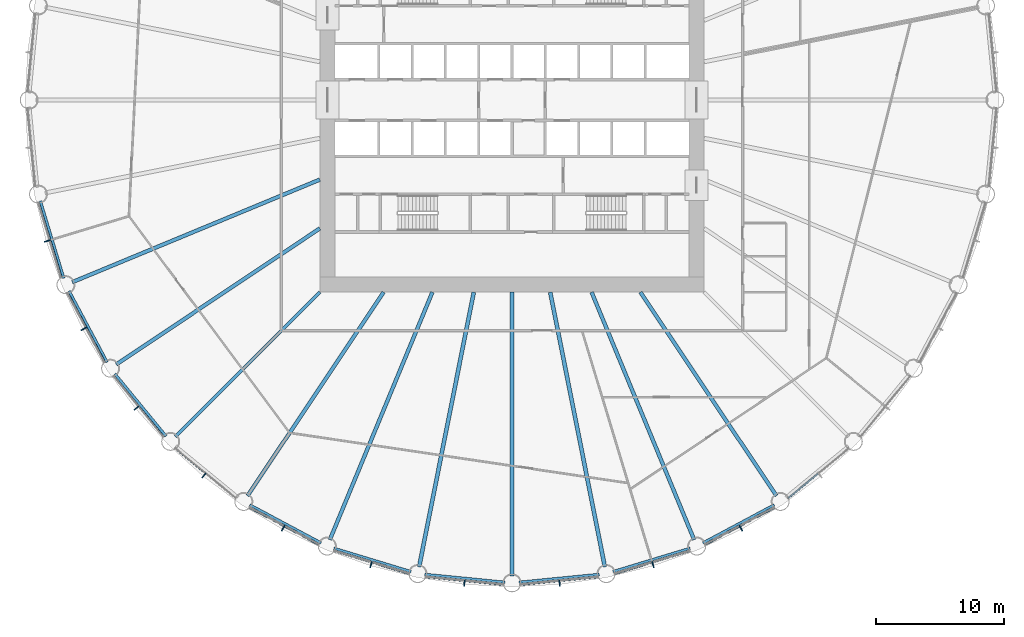
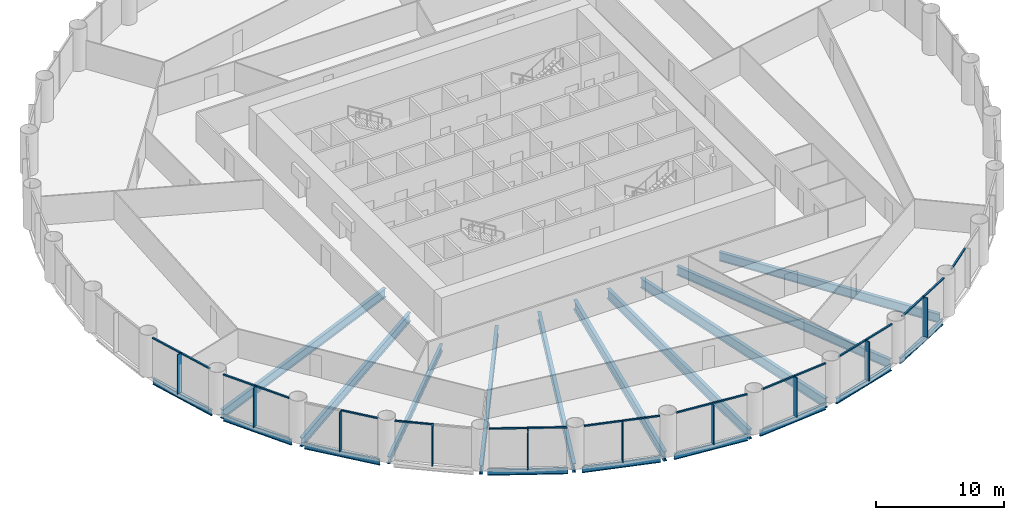
# One storey, part 2 of 15: 29 members, 19 beams, 11 elements without a shape of their own.
"""IFC4 building model written with IfcOpenShell, lengths in metres."""

from ifc_helpers import new_model, si_unit, direction, frame, origin, origin_2d, place, context, subcontext, project, spatial, rectangle, i_section, extrude, material, material_profile, profile_set, type_object, element, aggregate, save


model = new_model("IFC4")

# Units and contexts
model_context = context("Model", 3, precision=1e-05, world=origin(), true_north=direction((0.0, 1.0)))
body_context = subcontext(model_context, "Body", "Model", "MODEL_VIEW")
ifc_project = project(units=[si_unit("LENGTHUNIT", "METRE"), si_unit("AREAUNIT", "SQUARE_METRE"), si_unit("VOLUMEUNIT", "CUBIC_METRE"), si_unit("PLANEANGLEUNIT", "RADIAN"), si_unit("MASSUNIT", "GRAM", prefix="KILO")], contexts=[model_context])

# Site, building, storey
site_placement = place(None, origin())
site = spatial("IfcSite", under=ifc_project, at=site_placement, CompositionType="ELEMENT")
building_placement = place(site_placement, origin())
building = spatial("IfcBuilding", under=site, at=building_placement, Name="Corvane Civic Tower", CompositionType="ELEMENT")
storey_placement = place(building_placement, frame((0.0, 0.0, 73.0)))
storey = spatial("IfcBuildingStorey", under=building, at=storey_placement, Name="L16", CompositionType="ELEMENT", Elevation=73.0)

# Beams
ifc_material_1 = material(Name="Steel ASTM A992 Gr 50", Category="steel")
ifc_material_profile_1 = material_profile(ifc_material_1, i_section(OverallWidth=0.209228515625, OverallDepth=0.533447265625, WebThickness=0.01025390625, FlangeThickness=0.015625, at=origin_2d()), Name="W21X62")
ifc_profile_set_1 = profile_set([ifc_material_profile_1], Name="Steel ASTM A992 Gr 50")
beam_type_1 = type_object("IfcBeamType", Name="EDGE BEAM W21X62", PredefinedType="BEAM", material=ifc_profile_set_1)
for number, where, z_axis, x_axis, name in (
    (1, (20.4599609375, -31.605712890625, -0.566650390625), (-0.881916367906, -0.471405897311, 0.0), (0.471405897311, -0.881916367906, 0.0), "BM-L16-E14"),
    (2, (13.90087890625, -34.989990234375, -0.566650390625), (-0.956943740748, -0.290273452184, 0.0), (0.290273452184, -0.956943740748, 0.0), "BM-L16-E15"),
):
    element("IfcBeam", number, at=place(storey_placement, frame(where, z_axis=z_axis, x_axis=x_axis)), inside=storey, type_object=beam_type_1, Name=name, PredefinedType="BEAM", context=body_context, shape_type="SweptSolid", body=[
        extrude(i_section(OverallWidth=0.209228515625, OverallDepth=0.533447265625, WebThickness=0.01025390625, FlangeThickness=0.015625, at=origin_2d()), origin(), (0.0, 0.0, 1.0), 6.290283203125),
    ])
for number, where, z_axis, x_axis, name in (
    (3, (6.8076171875, -37.029541015625, -0.566650390625), (-0.995186682089, -0.097997284622, 0.0), (0.097997284622, -0.995186682089, 0.0), "BM-L16-E16"),
    (4, (-0.54736328125, -37.64599609375, -0.566650390625), (-0.995186682089, 0.097997284622, 0.0), (-0.097997284622, -0.995186682089, 0.0), "BM-L16-E17"),
):
    element("IfcBeam", number, at=place(storey_placement, frame(where, z_axis=z_axis, x_axis=x_axis)), inside=storey, type_object=beam_type_1, Name=name, PredefinedType="BEAM", context=body_context, shape_type="SweptSolid", body=[
        extrude(i_section(OverallWidth=0.209228515625, OverallDepth=0.533447265625, WebThickness=0.01025390625, FlangeThickness=0.015625, at=origin_2d()), origin(), (0.0, 0.0, 1.0), 6.29052734375),
    ])
for number, where, z_axis, x_axis, name in (
    (5, (-7.88134765625, -36.81591796875, -0.566650390625), (-0.956943740748, 0.290273452184, 0.0), (-0.290273452184, -0.956943740748, 0.0), "BM-L16-E18"),
    (6, (-14.912353515625, -34.571044921875, -0.566650390625), (-0.881916367906, 0.471405897311, 0.0), (-0.471405897311, -0.881916367906, 0.0), "BM-L16-E19"),
):
    element("IfcBeam", number, at=place(storey_placement, frame(where, z_axis=z_axis, x_axis=x_axis)), inside=storey, type_object=beam_type_1, Name=name, PredefinedType="BEAM", context=body_context, shape_type="SweptSolid", body=[
        extrude(i_section(OverallWidth=0.209228515625, OverallDepth=0.533447265625, WebThickness=0.01025390625, FlangeThickness=0.015625, at=origin_2d()), origin(), (0.0, 0.0, 1.0), 6.290283203125),
    ])
beam_1_placement = place(storey_placement, frame((-27.0068359375, -26.23291015625, -0.566650390625), z_axis=(-0.634386787141, 0.773015785286, 0.0), x_axis=(-0.773015785286, -0.634386787141, 0.0)))
element("IfcBeam", 7, at=beam_1_placement, inside=storey, type_object=beam_type_1, Name="BM-L16-E21", PredefinedType="BEAM", context=body_context, shape_type="SweptSolid", body=[
    extrude(i_section(OverallWidth=0.209228515625, OverallDepth=0.533447265625, WebThickness=0.01025390625, FlangeThickness=0.015625, at=origin_2d()), origin(), (0.0, 0.0, 1.0), 6.290771484375),
])
for number, where, z_axis, x_axis, name in (
    (8, (-31.605712890625, -20.4599609375, -0.566650390625), (-0.471405897311, 0.881916367906, 0.0), (-0.881916367906, -0.471405897311, 0.0), "BM-L16-E22"),
    (9, (-34.989990234375, -13.90087890625, -0.566650390625), (-0.290273452184, 0.956943740748, 0.0), (-0.956943740748, -0.290273452184, 0.0), "BM-L16-E23"),
):
    element("IfcBeam", number, at=place(storey_placement, frame(where, z_axis=z_axis, x_axis=x_axis)), inside=storey, type_object=beam_type_1, Name=name, PredefinedType="BEAM", context=body_context, shape_type="SweptSolid", body=[
        extrude(i_section(OverallWidth=0.209228515625, OverallDepth=0.533447265625, WebThickness=0.01025390625, FlangeThickness=0.015625, at=origin_2d()), origin(), (0.0, 0.0, 1.0), 6.290283203125),
    ])
ifc_material_2 = material(Name="Steel ASTM A992 Gr 50", Category="steel")
ifc_material_profile_2 = material_profile(ifc_material_2, i_section(OverallWidth=0.256591796875, OverallDepth=0.693359375, WebThickness=0.014404296875, FlangeThickness=0.023681640625, at=origin_2d()), Name="W27X114")
ifc_profile_set_2 = profile_set([ifc_material_profile_2], Name="Steel ASTM A992 Gr 50")
beam_type_2 = type_object("IfcBeamType", Name="FLOOR GIRDER W27X114", PredefinedType="BEAM", material=ifc_profile_set_2)
beam_2_placement = place(storey_placement, frame((-15.0, -15.0, -0.646728515625), z_axis=(-0.707106781187, -0.707106781187, 0.0), x_axis=(0.707106781187, -0.707106781187, 0.0)))
element("IfcBeam", 10, at=beam_2_placement, inside=storey, type_object=beam_type_2, Name="BM-L16-G21", PredefinedType="BEAM", context=body_context, shape_type="SweptSolid", body=[
    extrude(i_section(OverallWidth=0.256591796875, OverallDepth=0.693359375, WebThickness=0.014404296875, FlangeThickness=0.023681640625, at=origin_2d()), origin(), (0.0, 0.0, 1.0), 15.936767578125),
])
ifc_material_3 = material(Name="Steel ASTM A992 Gr 50", Category="steel")
ifc_material_profile_3 = material_profile(ifc_material_3, i_section(OverallWidth=0.2919921875, OverallDepth=0.8583984375, WebThickness=0.01708984375, FlangeThickness=0.031005859375, at=origin_2d()), Name="W33X169")
ifc_profile_set_3 = profile_set([ifc_material_profile_3], Name="Steel ASTM A992 Gr 50")
beam_type_3 = type_object("IfcBeamType", Name="FLOOR GIRDER W33X169", PredefinedType="BEAM", material=ifc_profile_set_3)
beam_3_placement = place(storey_placement, frame((10.022705078125, -15.0, -0.729248046875), z_axis=(0.555566681385, -0.831471985418, 0.0), x_axis=(0.831471985418, 0.555566681385, 0.0)))
element("IfcBeam", 11, at=beam_3_placement, inside=storey, type_object=beam_type_3, Name="BM-L16-G14", PredefinedType="BEAM", context=body_context, shape_type="SweptSolid", body=[
    extrude(i_section(OverallWidth=0.2919921875, OverallDepth=0.8583984375, WebThickness=0.01708984375, FlangeThickness=0.031005859375, at=origin_2d()), origin(), (0.0, 0.0, 1.0), 19.109619140625),
])
for number, where, z_axis, x_axis, name in (
    (12, (6.213134765625, -15.0, -0.729248046875), (0.382692360381, -0.923875834355, 0.0), (0.923875834355, 0.382692360381, 0.0), "BM-L16-G15"),
    (13, (-6.213134765625, -15.0, -0.729248046875), (-0.382692360381, -0.923875834355, 0.0), (0.923875834355, -0.382692360381, 0.0), "BM-L16-G19"),
):
    element("IfcBeam", number, at=place(storey_placement, frame(where, z_axis=z_axis, x_axis=x_axis)), inside=storey, type_object=beam_type_3, Name=name, PredefinedType="BEAM", context=body_context, shape_type="SweptSolid", body=[
        extrude(i_section(OverallWidth=0.2919921875, OverallDepth=0.8583984375, WebThickness=0.01708984375, FlangeThickness=0.031005859375, at=origin_2d()), origin(), (0.0, 0.0, 1.0), 20.9140625),
    ])
for number, where, z_axis, x_axis, name in (
    (14, (-10.022705078125, -15.0, -0.729248046875), (-0.555566681385, -0.831471985418, 0.0), (0.831471985418, -0.555566681385, 0.0), "BM-L16-G20"),
    (15, (-15.0, -10.022705078125, -0.729248046875), (-0.831471985418, -0.555566681385, 0.0), (0.555566681385, -0.831471985418, 0.0), "BM-L16-G22"),
):
    element("IfcBeam", number, at=place(storey_placement, frame(where, z_axis=z_axis, x_axis=x_axis)), inside=storey, type_object=beam_type_3, Name=name, PredefinedType="BEAM", context=body_context, shape_type="SweptSolid", body=[
        extrude(i_section(OverallWidth=0.2919921875, OverallDepth=0.8583984375, WebThickness=0.01708984375, FlangeThickness=0.031005859375, at=origin_2d()), origin(), (0.0, 0.0, 1.0), 19.109619140625),
    ])
beam_4_placement = place(storey_placement, frame((-15.0, -6.213134765625, -0.729248046875), z_axis=(-0.923875834355, -0.382692360381, 0.0), x_axis=(0.382692360381, -0.923875834355, 0.0)))
element("IfcBeam", 16, at=beam_4_placement, inside=storey, type_object=beam_type_3, Name="BM-L16-G23", PredefinedType="BEAM", context=body_context, shape_type="SweptSolid", body=[
    extrude(i_section(OverallWidth=0.2919921875, OverallDepth=0.8583984375, WebThickness=0.01708984375, FlangeThickness=0.031005859375, at=origin_2d()), origin(), (0.0, 0.0, 1.0), 20.9140625),
])
ifc_material_4 = material(Name="Steel ASTM A992 Gr 50", Category="steel")
ifc_material_profile_4 = material_profile(ifc_material_4, i_section(OverallWidth=0.307373046875, OverallDepth=0.927001953125, WebThickness=0.01953125, FlangeThickness=0.031982421875, at=origin_2d()), Name="W36X194")
ifc_profile_set_4 = profile_set([ifc_material_profile_4], Name="Steel ASTM A992 Gr 50")
beam_type_4 = type_object("IfcBeamType", Name="FLOOR GIRDER W36X194", PredefinedType="BEAM", material=ifc_profile_set_4)
beam_5_placement = place(storey_placement, frame((2.983642578125, -15.0, -0.763671875), z_axis=(0.195089219638, -0.980785499679, 0.0), x_axis=(0.980785499679, 0.195089219638, 0.0)))
element("IfcBeam", 17, at=beam_5_placement, inside=storey, type_object=beam_type_4, Name="BM-L16-G16", PredefinedType="BEAM", context=body_context, shape_type="SweptSolid", body=[
    extrude(i_section(OverallWidth=0.307373046875, OverallDepth=0.927001953125, WebThickness=0.01953125, FlangeThickness=0.031982421875, at=origin_2d()), origin(), (0.0, 0.0, 1.0), 21.856201171875),
])
beam_6_placement = place(storey_placement, frame((0.0, -15.0, -0.763671875), z_axis=(0.0, -1.0, 0.0), x_axis=(1.0, 0.0, 0.0)))
element("IfcBeam", 18, at=beam_6_placement, inside=storey, type_object=beam_type_4, Name="BM-L16-G17", PredefinedType="BEAM", context=body_context, shape_type="SweptSolid", body=[
    extrude(i_section(OverallWidth=0.307373046875, OverallDepth=0.927001953125, WebThickness=0.01953125, FlangeThickness=0.031982421875, at=origin_2d()), origin(), (0.0, 0.0, 1.0), 22.14990234375),
])
beam_7_placement = place(storey_placement, frame((-2.983642578125, -15.0, -0.763671875), z_axis=(-0.195089219638, -0.980785499679, 0.0), x_axis=(0.980785499679, -0.195089219638, 0.0)))
element("IfcBeam", 19, at=beam_7_placement, inside=storey, type_object=beam_type_4, Name="BM-L16-G18", PredefinedType="BEAM", context=body_context, shape_type="SweptSolid", body=[
    extrude(i_section(OverallWidth=0.307373046875, OverallDepth=0.927001953125, WebThickness=0.01953125, FlangeThickness=0.031982421875, at=origin_2d()), origin(), (0.0, 0.0, 1.0), 21.856201171875),
])

# Curtain wall, member
ifc_material_5 = material(Name="Anodised aluminium bronze", Category="aluminium")
curtain_wall_type = type_object("IfcCurtainWallType", Name="TOWER CW-T1 STICK CURTAIN WALL", PredefinedType="NOTDEFINED", material=ifc_material_5)
curtain_wall_1_placement = place(storey_placement, origin())
curtain_wall_1 = element("IfcCurtainWall", 20, at=curtain_wall_1_placement, inside=storey, type_object=curtain_wall_type, Name="Curtain wall CW-T1 L16 bay 13", PredefinedType="NOTDEFINED")
ifc_material_6 = material(Name="Anodised aluminium bronze", Category="aluminium")
ifc_material_profile_5 = material_profile(ifc_material_6, rectangle(XDim=0.139892578125, YDim=0.1201171875, at=origin_2d()), Name="TOWER CW-T1 TRANSOM 140x120")
ifc_profile_set_5 = profile_set([ifc_material_profile_5], Name="Anodised aluminium bronze")
member_type_1 = type_object("IfcMemberType", Name="TOWER CW-T1 TRANSOM 140x120", PredefinedType="USERDEFINED", material=ifc_profile_set_5)
member_1_placement = place(storey_placement, frame((23.88427734375, -29.166015625, 3.68994140625), z_axis=(-0.773041738279, -0.634355161466, 0.0), x_axis=(0.634355161466, -0.773041738279, 0.0)))
member_1 = element("IfcMember", 21, at=member_1_placement, type_object=member_type_1, Name="Transom CW-T1 L16 13.2", ObjectType="TRANSOM", PredefinedType="USERDEFINED", context=body_context, shape_type="SweptSolid", body=[
    extrude(rectangle(XDim=0.139892578125, YDim=0.1201171875, at=origin_2d()), origin(), (0.0, 0.0, 1.0), 3.008544921875),
])
aggregate(curtain_wall_1, [member_1])

# Curtain wall, members
curtain_wall_2_placement = place(storey_placement, origin())
curtain_wall_2 = element("IfcCurtainWall", 22, at=curtain_wall_2_placement, inside=storey, type_object=curtain_wall_type, Name="Curtain wall CW-T1 L16 bay 14", PredefinedType="NOTDEFINED")
member_2_placement = place(storey_placement, frame((20.459228515625, -31.809326171875, 3.68994140625), z_axis=(-0.881923525532, -0.471392506424, 0.0), x_axis=(0.471392506424, -0.881923525532, 0.0)))
member_2 = element("IfcMember", 23, at=member_2_placement, type_object=member_type_1, Name="Transom CW-T1 L16 14.1", ObjectType="TRANSOM", PredefinedType="USERDEFINED", context=body_context, shape_type="SweptSolid", body=[
    extrude(rectangle(XDim=0.139892578125, YDim=0.1201171875, at=origin_2d()), origin(), (0.0, 0.0, 1.0), 3.008544921875),
])
member_3_placement = place(storey_placement, frame((17.7353515625, -33.26513671875, 3.68994140625), z_axis=(-0.881923525532, -0.471392506424, 0.0), x_axis=(0.471392506424, -0.881923525532, 0.0)))
member_3 = element("IfcMember", 24, at=member_3_placement, type_object=member_type_1, Name="Transom CW-T1 L16 14.2", ObjectType="TRANSOM", PredefinedType="USERDEFINED", context=body_context, shape_type="SweptSolid", body=[
    extrude(rectangle(XDim=0.139892578125, YDim=0.1201171875, at=origin_2d()), origin(), (0.0, 0.0, 1.0), 3.008544921875),
])

curtain_wall_3_placement = place(storey_placement, origin())
curtain_wall_3 = element("IfcCurtainWall", 25, at=curtain_wall_3_placement, inside=storey, type_object=curtain_wall_type, Name="Curtain wall CW-T1 L16 bay 15", PredefinedType="NOTDEFINED")
member_4_placement = place(storey_placement, frame((13.8603515625, -35.189453125, 3.68994140625), z_axis=(-0.956941780555, -0.290279914268, 0.0), x_axis=(0.290279914268, -0.956941780555, 0.0)))
member_4 = element("IfcMember", 26, at=member_4_placement, type_object=member_type_1, Name="Transom CW-T1 L16 15.1", ObjectType="TRANSOM", PredefinedType="USERDEFINED", context=body_context, shape_type="SweptSolid", body=[
    extrude(rectangle(XDim=0.139892578125, YDim=0.1201171875, at=origin_2d()), origin(), (0.0, 0.0, 1.0), 3.008544921875),
])
member_5_placement = place(storey_placement, frame((10.90478515625, -36.0859375, 3.68994140625), z_axis=(-0.956941780555, -0.290279914268, 0.0), x_axis=(0.290279914268, -0.956941780555, 0.0)))
member_5 = element("IfcMember", 27, at=member_5_placement, type_object=member_type_1, Name="Transom CW-T1 L16 15.2", ObjectType="TRANSOM", PredefinedType="USERDEFINED", context=body_context, shape_type="SweptSolid", body=[
    extrude(rectangle(XDim=0.139892578125, YDim=0.1201171875, at=origin_2d()), origin(), (0.0, 0.0, 1.0), 3.008544921875),
])

curtain_wall_4_placement = place(storey_placement, origin())
curtain_wall_4 = element("IfcCurtainWall", 28, at=curtain_wall_4_placement, inside=storey, type_object=curtain_wall_type, Name="Curtain wall CW-T1 L16 bay 16", PredefinedType="NOTDEFINED")
member_6_placement = place(storey_placement, frame((6.72900390625, -37.21728515625, 3.68994140625), z_axis=(-0.995191836722, -0.097944923917, 0.0), x_axis=(0.097944923917, -0.995191836722, 0.0)))
member_6 = element("IfcMember", 29, at=member_6_placement, type_object=member_type_1, Name="Transom CW-T1 L16 16.1", ObjectType="TRANSOM", PredefinedType="USERDEFINED", context=body_context, shape_type="SweptSolid", body=[
    extrude(rectangle(XDim=0.139892578125, YDim=0.1201171875, at=origin_2d()), origin(), (0.0, 0.0, 1.0), 3.008544921875),
])
member_7_placement = place(storey_placement, frame((3.6552734375, -37.52001953125, 3.68994140625), z_axis=(-0.995191836722, -0.097944923917, 0.0), x_axis=(0.097944923917, -0.995191836722, 0.0)))
member_7 = element("IfcMember", 30, at=member_7_placement, type_object=member_type_1, Name="Transom CW-T1 L16 16.2", ObjectType="TRANSOM", PredefinedType="USERDEFINED", context=body_context, shape_type="SweptSolid", body=[
    extrude(rectangle(XDim=0.139892578125, YDim=0.1201171875, at=origin_2d()), origin(), (0.0, 0.0, 1.0), 3.008544921875),
])

curtain_wall_5_placement = place(storey_placement, origin())
curtain_wall_5 = element("IfcCurtainWall", 31, at=curtain_wall_5_placement, inside=storey, type_object=curtain_wall_type, Name="Curtain wall CW-T1 L16 bay 17", PredefinedType="NOTDEFINED")
member_8_placement = place(storey_placement, frame((-0.6611328125, -37.814697265625, 3.68994140625), z_axis=(-0.995191836722, 0.097944923917, 0.0), x_axis=(-0.097944923917, -0.995191836722, 0.0)))
member_8 = element("IfcMember", 32, at=member_8_placement, type_object=member_type_1, Name="Transom CW-T1 L16 17.1", ObjectType="TRANSOM", PredefinedType="USERDEFINED", context=body_context, shape_type="SweptSolid", body=[
    extrude(rectangle(XDim=0.139892578125, YDim=0.1201171875, at=origin_2d()), origin(), (0.0, 0.0, 1.0), 3.008544921875),
])
member_9_placement = place(storey_placement, frame((-3.73486328125, -37.511962890625, 3.68994140625), z_axis=(-0.995191836722, 0.097944923917, 0.0), x_axis=(-0.097944923917, -0.995191836722, 0.0)))
member_9 = element("IfcMember", 33, at=member_9_placement, type_object=member_type_1, Name="Transom CW-T1 L16 17.2", ObjectType="TRANSOM", PredefinedType="USERDEFINED", context=body_context, shape_type="SweptSolid", body=[
    extrude(rectangle(XDim=0.139892578125, YDim=0.1201171875, at=origin_2d()), origin(), (0.0, 0.0, 1.0), 3.008544921875),
])

curtain_wall_6_placement = place(storey_placement, origin())
curtain_wall_6 = element("IfcCurtainWall", 34, at=curtain_wall_6_placement, inside=storey, type_object=curtain_wall_type, Name="Curtain wall CW-T1 L16 bay 18", PredefinedType="NOTDEFINED")
member_10_placement = place(storey_placement, frame((-8.02587890625, -36.959228515625, 3.68994140625), z_axis=(-0.956941780555, 0.290279914268, 0.0), x_axis=(-0.290279914268, -0.956941780555, 0.0)))
member_10 = element("IfcMember", 35, at=member_10_placement, type_object=member_type_1, Name="Transom CW-T1 L16 18.1", ObjectType="TRANSOM", PredefinedType="USERDEFINED", context=body_context, shape_type="SweptSolid", body=[
    extrude(rectangle(XDim=0.139892578125, YDim=0.1201171875, at=origin_2d()), origin(), (0.0, 0.0, 1.0), 3.008544921875),
])
member_11_placement = place(storey_placement, frame((-10.9814453125, -36.062744140625, 3.68994140625), z_axis=(-0.956941780555, 0.290279914268, 0.0), x_axis=(-0.290279914268, -0.956941780555, 0.0)))
member_11 = element("IfcMember", 36, at=member_11_placement, type_object=member_type_1, Name="Transom CW-T1 L16 18.2", ObjectType="TRANSOM", PredefinedType="USERDEFINED", context=body_context, shape_type="SweptSolid", body=[
    extrude(rectangle(XDim=0.139892578125, YDim=0.1201171875, at=origin_2d()), origin(), (0.0, 0.0, 1.0), 3.008544921875),
])

curtain_wall_7_placement = place(storey_placement, origin())
curtain_wall_7 = element("IfcCurtainWall", 37, at=curtain_wall_7_placement, inside=storey, type_object=curtain_wall_type, Name="Curtain wall CW-T1 L16 bay 19", PredefinedType="NOTDEFINED")
member_12_placement = place(storey_placement, frame((-15.08203125, -34.683349609375, 3.68994140625), z_axis=(-0.881923525532, 0.471392506424, 0.0), x_axis=(-0.471392506424, -0.881923525532, 0.0)))
member_12 = element("IfcMember", 38, at=member_12_placement, type_object=member_type_1, Name="Transom CW-T1 L16 19.1", ObjectType="TRANSOM", PredefinedType="USERDEFINED", context=body_context, shape_type="SweptSolid", body=[
    extrude(rectangle(XDim=0.139892578125, YDim=0.1201171875, at=origin_2d()), origin(), (0.0, 0.0, 1.0), 3.008544921875),
])
member_13_placement = place(storey_placement, frame((-17.805908203125, -33.2275390625, 3.68994140625), z_axis=(-0.881923525532, 0.471392506424, 0.0), x_axis=(-0.471392506424, -0.881923525532, 0.0)))
member_13 = element("IfcMember", 39, at=member_13_placement, type_object=member_type_1, Name="Transom CW-T1 L16 19.2", ObjectType="TRANSOM", PredefinedType="USERDEFINED", context=body_context, shape_type="SweptSolid", body=[
    extrude(rectangle(XDim=0.139892578125, YDim=0.1201171875, at=origin_2d()), origin(), (0.0, 0.0, 1.0), 3.008544921875),
])

# Curtain wall, member
curtain_wall_8_placement = place(storey_placement, origin())
curtain_wall_8 = element("IfcCurtainWall", 40, at=curtain_wall_8_placement, inside=storey, type_object=curtain_wall_type, Name="Curtain wall CW-T1 L16 bay 20", PredefinedType="NOTDEFINED")
member_14_placement = place(storey_placement, frame((-23.946044921875, -29.115234375, 3.68994140625), z_axis=(-0.773001943873, 0.634403652865, 0.0), x_axis=(-0.634403652865, -0.773001943873, 0.0)))
member_14 = element("IfcMember", 41, at=member_14_placement, type_object=member_type_1, Name="Transom CW-T1 L16 20.2", ObjectType="TRANSOM", PredefinedType="USERDEFINED", context=body_context, shape_type="SweptSolid", body=[
    extrude(rectangle(XDim=0.139892578125, YDim=0.1201171875, at=origin_2d()), origin(), (0.0, 0.0, 1.0), 3.008544921875),
])

curtain_wall_9_placement = place(storey_placement, origin())
curtain_wall_9 = element("IfcCurtainWall", 42, at=curtain_wall_9_placement, inside=storey, type_object=curtain_wall_type, Name="Curtain wall CW-T1 L16 bay 21", PredefinedType="NOTDEFINED")
member_15_placement = place(storey_placement, frame((-27.20654296875, -26.271728515625, 3.68994140625), z_axis=(-0.634403652865, 0.773001943873, 0.0), x_axis=(-0.773001943873, -0.634403652865, 0.0)))
member_15 = element("IfcMember", 43, at=member_15_placement, type_object=member_type_1, Name="Transom CW-T1 L16 21.1", ObjectType="TRANSOM", PredefinedType="USERDEFINED", context=body_context, shape_type="SweptSolid", body=[
    extrude(rectangle(XDim=0.139892578125, YDim=0.1201171875, at=origin_2d()), origin(), (0.0, 0.0, 1.0), 3.008544921875),
])

# Curtain wall, members
curtain_wall_10_placement = place(storey_placement, origin())
curtain_wall_10 = element("IfcCurtainWall", 44, at=curtain_wall_10_placement, inside=storey, type_object=curtain_wall_type, Name="Curtain wall CW-T1 L16 bay 22", PredefinedType="NOTDEFINED")
member_16_placement = place(storey_placement, frame((-31.809326171875, -20.459228515625, 3.68994140625), z_axis=(-0.471392506424, 0.881923525532, 0.0), x_axis=(-0.881923525532, -0.471392506424, 0.0)))
member_16 = element("IfcMember", 45, at=member_16_placement, type_object=member_type_1, Name="Transom CW-T1 L16 22.1", ObjectType="TRANSOM", PredefinedType="USERDEFINED", context=body_context, shape_type="SweptSolid", body=[
    extrude(rectangle(XDim=0.139892578125, YDim=0.1201171875, at=origin_2d()), origin(), (0.0, 0.0, 1.0), 3.008544921875),
])
member_17_placement = place(storey_placement, frame((-33.26513671875, -17.7353515625, 3.68994140625), z_axis=(-0.471392506424, 0.881923525532, 0.0), x_axis=(-0.881923525532, -0.471392506424, 0.0)))
member_17 = element("IfcMember", 46, at=member_17_placement, type_object=member_type_1, Name="Transom CW-T1 L16 22.2", ObjectType="TRANSOM", PredefinedType="USERDEFINED", context=body_context, shape_type="SweptSolid", body=[
    extrude(rectangle(XDim=0.139892578125, YDim=0.1201171875, at=origin_2d()), origin(), (0.0, 0.0, 1.0), 3.008544921875),
])

curtain_wall_11_placement = place(storey_placement, origin())
curtain_wall_11 = element("IfcCurtainWall", 47, at=curtain_wall_11_placement, inside=storey, type_object=curtain_wall_type, Name="Curtain wall CW-T1 L16 bay 23", PredefinedType="NOTDEFINED")
member_18_placement = place(storey_placement, frame((-35.189453125, -13.8603515625, 3.68994140625), z_axis=(-0.290279914268, 0.956941780555, 0.0), x_axis=(-0.956941780555, -0.290279914268, 0.0)))
member_18 = element("IfcMember", 48, at=member_18_placement, type_object=member_type_1, Name="Transom CW-T1 L16 23.1", ObjectType="TRANSOM", PredefinedType="USERDEFINED", context=body_context, shape_type="SweptSolid", body=[
    extrude(rectangle(XDim=0.139892578125, YDim=0.1201171875, at=origin_2d()), origin(), (0.0, 0.0, 1.0), 3.008544921875),
])
member_19_placement = place(storey_placement, frame((-36.0859375, -10.90478515625, 3.68994140625), z_axis=(-0.290279914268, 0.956941780555, 0.0), x_axis=(-0.956941780555, -0.290279914268, 0.0)))
member_19 = element("IfcMember", 49, at=member_19_placement, type_object=member_type_1, Name="Transom CW-T1 L16 23.2", ObjectType="TRANSOM", PredefinedType="USERDEFINED", context=body_context, shape_type="SweptSolid", body=[
    extrude(rectangle(XDim=0.139892578125, YDim=0.1201171875, at=origin_2d()), origin(), (0.0, 0.0, 1.0), 3.008544921875),
])

# Member
ifc_material_7 = material(Name="Anodised aluminium bronze", Category="aluminium")
ifc_material_profile_6 = material_profile(ifc_material_7, rectangle(XDim=0.080078125, YDim=0.5, at=origin_2d()), Name="TOWER FIN MULLION 80x500 BRONZE")
ifc_profile_set_6 = profile_set([ifc_material_profile_6], Name="Anodised aluminium bronze")
member_type_2 = type_object("IfcMemberType", Name="TOWER FIN MULLION 80x500 BRONZE", PredefinedType="MULLION", material=ifc_profile_set_6)
member_20_placement = place(storey_placement, frame((17.86474609375, -33.422607421875, 0.0), z_axis=(0.0, 0.0, 1.0), x_axis=(-0.881917528864, -0.471403725359, 0.0)))
member_20 = element("IfcMember", 50, at=member_20_placement, type_object=member_type_2, Name="Fin mullion 14 L16", PredefinedType="MULLION", context=body_context, shape_type="SweptSolid", body=[
    extrude(rectangle(XDim=0.080078125, YDim=0.5, at=origin_2d()), origin(), (0.0, 0.0, 1.0), 3.75),
])

aggregate(curtain_wall_2, [member_20, member_2, member_3])

member_21_placement = place(storey_placement, frame((11.001220703125, -36.265625, 0.0), z_axis=(0.0, 0.0, 1.0), x_axis=(-0.956942240606, -0.290278397654, 0.0)))
member_21 = element("IfcMember", 51, at=member_21_placement, type_object=member_type_2, Name="Fin mullion 15 L16", PredefinedType="MULLION", context=body_context, shape_type="SweptSolid", body=[
    extrude(rectangle(XDim=0.080078125, YDim=0.5, at=origin_2d()), origin(), (0.0, 0.0, 1.0), 3.75),
])

aggregate(curtain_wall_3, [member_21, member_4, member_5])

member_22_placement = place(storey_placement, frame((3.714599609375, -37.715087890625, 0.0), z_axis=(0.0, 0.0, 1.0), x_axis=(-0.995185800248, -0.098006239521, 0.0)))
member_22 = element("IfcMember", 52, at=member_22_placement, type_object=member_type_2, Name="Fin mullion 16 L16", PredefinedType="MULLION", context=body_context, shape_type="SweptSolid", body=[
    extrude(rectangle(XDim=0.080078125, YDim=0.5, at=origin_2d()), origin(), (0.0, 0.0, 1.0), 3.75),
])

aggregate(curtain_wall_4, [member_22, member_6, member_7])

member_23_placement = place(storey_placement, frame((-3.714599609375, -37.715087890625, 0.0), z_axis=(0.0, 0.0, 1.0), x_axis=(-0.995185800248, 0.098006239521, 0.0)))
member_23 = element("IfcMember", 53, at=member_23_placement, type_object=member_type_2, Name="Fin mullion 17 L16", PredefinedType="MULLION", context=body_context, shape_type="SweptSolid", body=[
    extrude(rectangle(XDim=0.080078125, YDim=0.5, at=origin_2d()), origin(), (0.0, 0.0, 1.0), 3.75),
])

aggregate(curtain_wall_5, [member_23, member_8, member_9])

member_24_placement = place(storey_placement, frame((-11.001220703125, -36.265625, 0.0), z_axis=(0.0, 0.0, 1.0), x_axis=(-0.956942240606, 0.290278397654, 0.0)))
member_24 = element("IfcMember", 54, at=member_24_placement, type_object=member_type_2, Name="Fin mullion 18 L16", PredefinedType="MULLION", context=body_context, shape_type="SweptSolid", body=[
    extrude(rectangle(XDim=0.080078125, YDim=0.5, at=origin_2d()), origin(), (0.0, 0.0, 1.0), 3.75),
])

aggregate(curtain_wall_6, [member_24, member_10, member_11])

member_25_placement = place(storey_placement, frame((-17.86474609375, -33.422607421875, 0.0), z_axis=(0.0, 0.0, 1.0), x_axis=(-0.881917528864, 0.471403725359, 0.0)))
member_25 = element("IfcMember", 55, at=member_25_placement, type_object=member_type_2, Name="Fin mullion 19 L16", PredefinedType="MULLION", context=body_context, shape_type="SweptSolid", body=[
    extrude(rectangle(XDim=0.080078125, YDim=0.5, at=origin_2d()), origin(), (0.0, 0.0, 1.0), 3.75),
])

aggregate(curtain_wall_7, [member_25, member_12, member_13])

member_26_placement = place(storey_placement, frame((-24.0419921875, -29.295166015625, 0.0), z_axis=(0.0, 0.0, 1.0), x_axis=(-0.773007224463, 0.634397218569, 0.0)))
member_26 = element("IfcMember", 56, at=member_26_placement, type_object=member_type_2, Name="Fin mullion 20 L16", PredefinedType="MULLION", context=body_context, shape_type="SweptSolid", body=[
    extrude(rectangle(XDim=0.080078125, YDim=0.5, at=origin_2d()), origin(), (0.0, 0.0, 1.0), 3.75),
])

aggregate(curtain_wall_8, [member_26, member_14])

member_27_placement = place(storey_placement, frame((-29.295166015625, -24.0419921875, 0.0), z_axis=(0.0, 0.0, 1.0), x_axis=(-0.634397218569, 0.773007224463, 0.0)))
member_27 = element("IfcMember", 57, at=member_27_placement, type_object=member_type_2, Name="Fin mullion 21 L16", PredefinedType="MULLION", context=body_context, shape_type="SweptSolid", body=[
    extrude(rectangle(XDim=0.080078125, YDim=0.5, at=origin_2d()), origin(), (0.0, 0.0, 1.0), 3.75),
])

aggregate(curtain_wall_9, [member_27, member_15])

member_28_placement = place(storey_placement, frame((-33.422607421875, -17.86474609375, 0.0), z_axis=(0.0, 0.0, 1.0), x_axis=(-0.471403725359, 0.881917528864, 0.0)))
member_28 = element("IfcMember", 58, at=member_28_placement, type_object=member_type_2, Name="Fin mullion 22 L16", PredefinedType="MULLION", context=body_context, shape_type="SweptSolid", body=[
    extrude(rectangle(XDim=0.080078125, YDim=0.5, at=origin_2d()), origin(), (0.0, 0.0, 1.0), 3.75),
])

aggregate(curtain_wall_10, [member_28, member_16, member_17])

member_29_placement = place(storey_placement, frame((-36.265625, -11.001220703125, 0.0), z_axis=(0.0, 0.0, 1.0), x_axis=(-0.290278397654, 0.956942240606, 0.0)))
member_29 = element("IfcMember", 59, at=member_29_placement, type_object=member_type_2, Name="Fin mullion 23 L16", PredefinedType="MULLION", context=body_context, shape_type="SweptSolid", body=[
    extrude(rectangle(XDim=0.080078125, YDim=0.5, at=origin_2d()), origin(), (0.0, 0.0, 1.0), 3.75),
])

aggregate(curtain_wall_11, [member_29, member_18, member_19])

save(model, "model.ifc")
